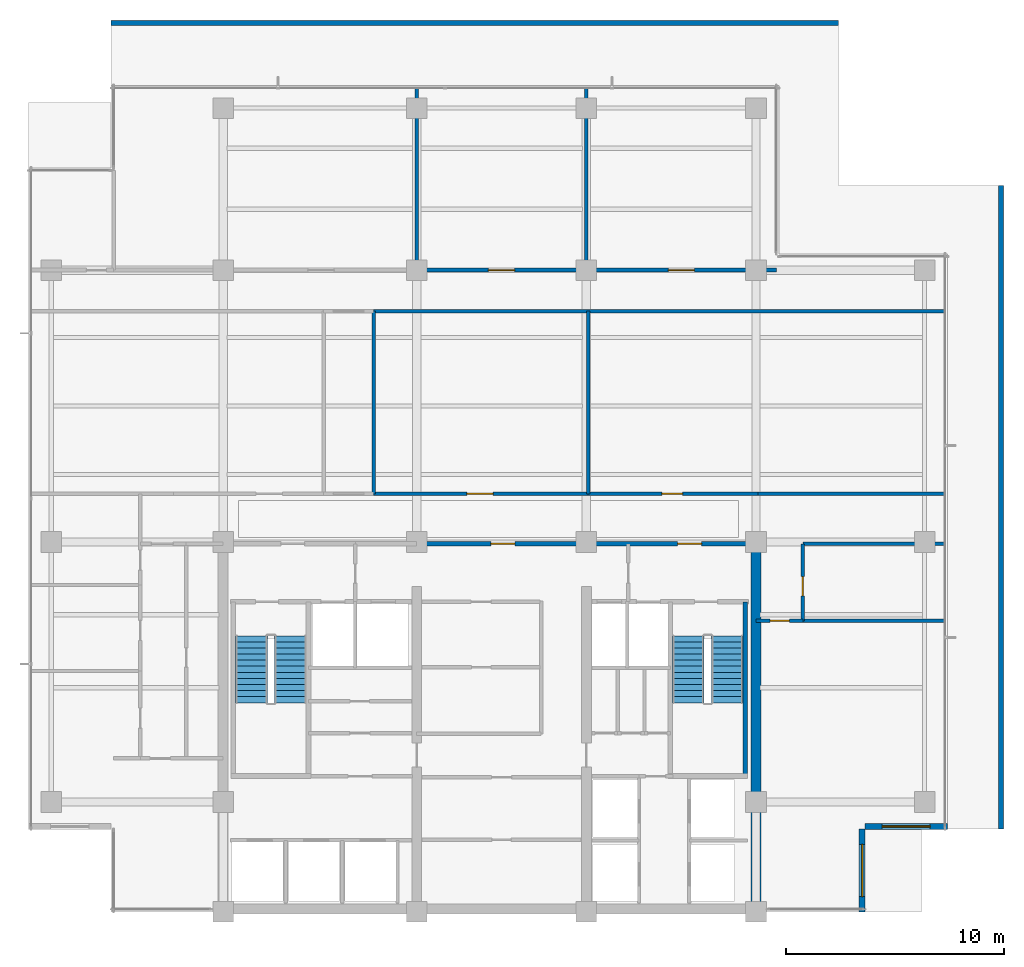
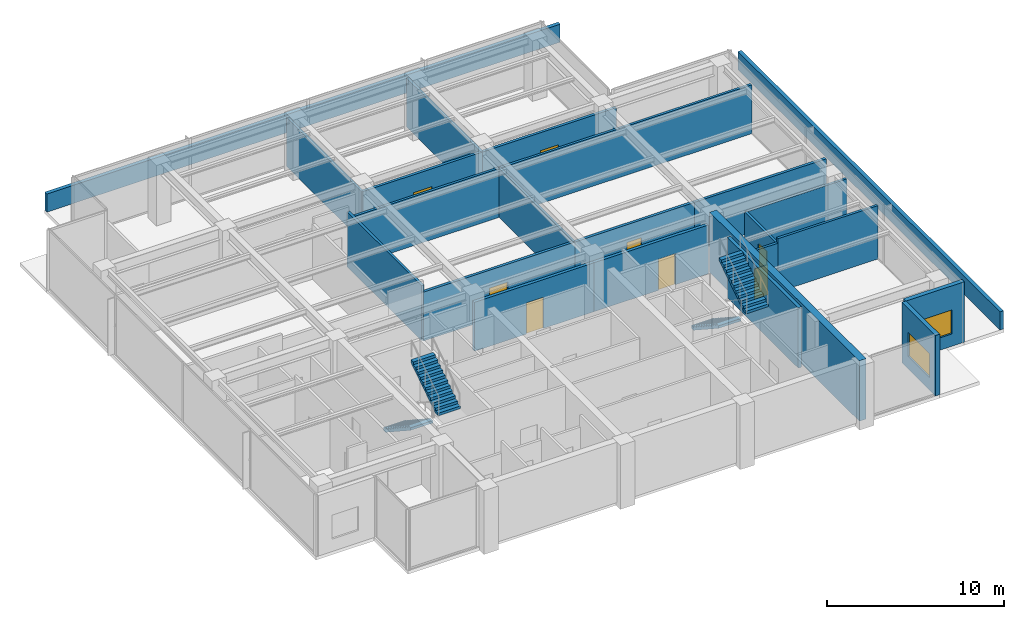
# One storey, part 9 of 14: 22 walls, 8 doors, 4 stair flights, 2 windows, 10 openings, 2 elements without a shape of their own.
"""IFC4 building model written with IfcOpenShell, lengths in metres."""

from ifc_helpers import new_model, si_unit, direction, frame, frame_2d, origin, place, context, subcontext, project, spatial, polyline, rectangle, outline, extrude, material, layer, layer_set, type_object, element, fill, aggregate, save


model = new_model("IFC4")

# Units and contexts
model_context = context("Model", 3, precision=1e-05, world=origin(), true_north=direction((0.0, 1.0)))
body_context = subcontext(model_context, "Body", "Model", "MODEL_VIEW")
ifc_project = project(units=[si_unit("LENGTHUNIT", "METRE"), si_unit("AREAUNIT", "SQUARE_METRE"), si_unit("VOLUMEUNIT", "CUBIC_METRE"), si_unit("PLANEANGLEUNIT", "RADIAN"), si_unit("MASSUNIT", "GRAM", prefix="KILO")], contexts=[model_context])

# Site, building, storey
site_placement = place(None, origin())
site = spatial("IfcSite", under=ifc_project, at=site_placement, CompositionType="ELEMENT")
building_placement = place(site_placement, origin())
building = spatial("IfcBuilding", under=site, at=building_placement, Name="Qalmaran Belvedere Hotel", CompositionType="ELEMENT")
storey_placement = place(building_placement, frame((0.0, 0.0, 192.5)))
storey = spatial("IfcBuildingStorey", under=building, at=storey_placement, Name="L48", CompositionType="ELEMENT", Elevation=192.5)

# Wall
ifc_material_1 = material(Name="Concrete C50/60", Category="concrete")
ifc_layer_1 = layer(ifc_material_1, 0.449951171875, Name="Concrete C50/60")
ifc_layer_set_1 = layer_set([ifc_layer_1], Name="Concrete C50/60")
wall_type_1 = type_object("IfcWallType", Name="WL-CORE-450-C50", PredefinedType="SHEAR", material=ifc_layer_set_1)
wall_1_placement = place(storey_placement, frame((44.800048828125, 3.5, 0.0), z_axis=(0.0, 0.0, 1.0), x_axis=(0.0, 1.0, 0.0)))
element("IfcWall", 1, at=wall_1_placement, inside=storey, type_object=wall_type_1, Name="L48 East Core Shear Wall", PredefinedType="SHEAR", context=body_context, shape_type="SweptSolid", body=[
    extrude(rectangle(XDim=16.89990234375, YDim=0.449951171875, at=frame_2d((8.449951171875, 0.0))), origin(), (0.0, 0.0, 1.0), 4.159912109375),
])

# Wall, opening, window
ifc_material_2 = material(Name="Anodised Bronze Cladding")
ifc_layer_2 = layer(ifc_material_2, 0.280029296875, Name="Anodised Bronze Cladding")
ifc_layer_set_2 = layer_set([ifc_layer_2], Name="Anodised Bronze Cladding")
wall_type_2 = type_object("IfcWallType", Name="WL-EXT-BRNZ-280", PredefinedType="SOLIDWALL", material=ifc_layer_set_2)
wall_2_placement = place(storey_placement, frame((49.679931640625, 3.5, 0.0), z_axis=(0.0, 0.0, 1.0), x_axis=(0.0, 1.0, 0.0)))
wall_2 = element("IfcWall", 2, at=wall_2_placement, inside=storey, type_object=wall_type_2, Name="L48 Corner Notch Wall 1", PredefinedType="SOLIDWALL", context=body_context, shape_type="SweptSolid", body=[
    extrude(rectangle(XDim=3.800048828125, YDim=0.280029296875, at=frame_2d((1.89990234375, 0.0))), origin(), (0.0, 0.0, 1.0), 4.159912109375),
])
opening_1_placement = place(wall_2_placement, frame((0.699951171875, 0.0, 0.85009765625)))
opening_1 = element("IfcOpeningElement", 3, at=opening_1_placement, cuts=wall_2, Name="Opening W-N24", PredefinedType="OPENING", context=body_context, shape_type="SweptSolid", body=[
    extrude(rectangle(XDim=2.39990234375, YDim=1.64990234375, at=frame_2d((1.199951171875, 0.824951171875))), frame((0.0, 0.14990234375, 0.0), z_axis=(0.0, -1.0, 0.0), x_axis=(1.0, 0.0, 0.0)), (0.0, 0.0, 1.0), 0.300048828125),
])
ifc_material_3 = material(Name="Solar-Control Double Glazing", Category="glass")
window_type_1 = type_object("IfcWindowType", Name="WN-NTC-2400X1650", PartitioningType="SINGLE_PANEL", PredefinedType="WINDOW", material=ifc_material_3)
window_1_placement = place(opening_1_placement, origin())
window_1 = element("IfcWindow", 4, at=window_1_placement, inside=storey, type_object=window_type_1, Name="L48 Corner Notch Window 1", OverallHeight=1.64990234375, OverallWidth=2.39990234375, PartitioningType="SINGLE_PANEL", PredefinedType="WINDOW", context=body_context, shape_type="SweptSolid", body=[
    extrude(rectangle(XDim=2.39990234375, YDim=1.64990234375, at=frame_2d((1.199951171875, 0.824951171875))), frame((0.0, 0.030029296875, 0.0), z_axis=(0.0, -1.0, 0.0), x_axis=(1.0, 0.0, 0.0)), (0.0, 0.0, 1.0), 0.06005859375),
])
fill(opening_1, window_1)

wall_3_placement = place(storey_placement, frame((49.800048828125, 7.419921875, 0.0), z_axis=(0.0, 0.0, 1.0), x_axis=(1.0, 0.0, 0.0)))
wall_3 = element("IfcWall", 5, at=wall_3_placement, inside=storey, type_object=wall_type_2, Name="L48 Corner Notch Wall 2", PredefinedType="SOLIDWALL", context=body_context, shape_type="SweptSolid", body=[
    extrude(rectangle(XDim=3.800048828125, YDim=0.280029296875, at=frame_2d((1.89990234375, 0.0))), origin(), (0.0, 0.0, 1.0), 4.159912109375),
])
opening_2_placement = place(wall_3_placement, frame((0.800048828125, 0.0, 0.85009765625)))
opening_2 = element("IfcOpeningElement", 6, at=opening_2_placement, cuts=wall_3, Name="Opening W-N22", PredefinedType="OPENING", context=body_context, shape_type="SweptSolid", body=[
    extrude(rectangle(XDim=2.199951171875, YDim=1.64990234375, at=frame_2d((1.10009765625, 0.824951171875))), frame((0.0, 0.14990234375, 0.0), z_axis=(0.0, -1.0, 0.0), x_axis=(1.0, 0.0, 0.0)), (0.0, 0.0, 1.0), 0.300048828125),
])
window_type_2 = type_object("IfcWindowType", Name="WN-NTC-2200X1650", PartitioningType="SINGLE_PANEL", PredefinedType="WINDOW", material=ifc_material_3)
window_2_placement = place(opening_2_placement, origin())
window_2 = element("IfcWindow", 7, at=window_2_placement, inside=storey, type_object=window_type_2, Name="L48 Corner Notch Window 2", OverallHeight=1.64990234375, OverallWidth=2.199951171875, PartitioningType="SINGLE_PANEL", PredefinedType="WINDOW", context=body_context, shape_type="SweptSolid", body=[
    extrude(rectangle(XDim=2.199951171875, YDim=1.64990234375, at=frame_2d((1.10009765625, 0.824951171875))), frame((0.0, 0.030029296875, 0.0), z_axis=(0.0, -1.0, 0.0), x_axis=(1.0, 0.0, 0.0)), (0.0, 0.0, 1.0), 0.06005859375),
])
fill(opening_2, window_2)

# Wall, opening, door
ifc_material_4 = material(Name="Gypsum Stud Partition")
ifc_layer_3 = layer(ifc_material_4, 0.159912109375, Name="Gypsum Stud Partition")
ifc_layer_set_3 = layer_set([ifc_layer_3], Name="Gypsum Stud Partition")
wall_type_3 = type_object("IfcWallType", Name="WL-INT-160-EI60", PredefinedType="PARTITIONING", material=ifc_layer_set_3)
wall_4_placement = place(storey_placement, frame((44.800048828125, 16.8798828125, 0.0), z_axis=(0.0, 0.0, 1.0), x_axis=(1.0, 0.0, 0.0)))
wall_4 = element("IfcWall", 8, at=wall_4_placement, inside=storey, type_object=wall_type_3, Name="L48 Partition WL-L48-ECE", PredefinedType="PARTITIONING", context=body_context, shape_type="SweptSolid", body=[
    extrude(rectangle(XDim=2.14990234375, YDim=0.159912109375, at=frame_2d((1.074951171875, 0.0))), origin(), (0.0, 0.0, 1.0), 3.3720703125),
])
opening_3_placement = place(wall_4_placement, frame((1.52978515625, 0.0, 0.0), z_axis=(0.0, 0.0, 1.0), x_axis=(-1.0, 0.0, 0.0)))
opening_3 = element("IfcOpeningElement", 9, at=opening_3_placement, cuts=wall_4, Name="Opening FD60B", PredefinedType="OPENING", context=body_context, shape_type="SweptSolid", body=[
    extrude(rectangle(XDim=0.8798828125, YDim=2.080078125, at=frame_2d((0.43994140625, 1.0400390625))), frame((0.0, 0.08984375, 0.0), z_axis=(0.0, -1.0, 0.0), x_axis=(1.0, 0.0, 0.0)), (0.0, 0.0, 1.0), 0.179931640625),
])
ifc_material_5 = material(Name="Steel S355JR", Category="steel")
door_type_1 = type_object("IfcDoorType", Name="DR-FD60B-880X2080", OperationType="NOTDEFINED", PredefinedType="DOOR", material=ifc_material_5)
door_1_placement = place(opening_3_placement, origin())
door_1 = element("IfcDoor", 10, at=door_1_placement, inside=storey, type_object=door_type_1, Name="L48 Panoramic Tea Lounge Door", OperationType="SINGLE_SWING_RIGHT", OverallHeight=2.080078125, OverallWidth=0.8798828125, PredefinedType="DOOR", context=body_context, shape_type="SweptSolid", body=[
    extrude(rectangle(XDim=0.8798828125, YDim=2.080078125, at=frame_2d((0.43994140625, 1.0400390625))), frame((0.0, 0.02490234375, 0.0), z_axis=(0.0, -1.0, 0.0), x_axis=(1.0, 0.0, 0.0)), (0.0, 0.0, 1.0), 0.050048828125),
])
fill(opening_3, door_1)

wall_5_placement = place(storey_placement, frame((46.949951171875, 16.8798828125, 0.0), z_axis=(0.0, 0.0, 1.0), x_axis=(0.0, 1.0, 0.0)))
wall_5 = element("IfcWall", 11, at=wall_5_placement, inside=storey, type_object=wall_type_3, Name="L48 Partition WL-L48-ECEV", PredefinedType="PARTITIONING", context=body_context, shape_type="SweptSolid", body=[
    extrude(rectangle(XDim=3.5400390625, YDim=0.159912109375, at=frame_2d((1.77001953125, 0.0))), origin(), (0.0, 0.0, 1.0), 3.3720703125),
])
opening_4_placement = place(wall_5_placement, frame((2.02978515625, 0.0, 0.0), z_axis=(0.0, 0.0, 1.0), x_axis=(-1.0, 0.0, 0.0)))
opening_4 = element("IfcOpeningElement", 12, at=opening_4_placement, cuts=wall_5, Name="Opening FD60B", PredefinedType="OPENING", context=body_context, shape_type="SweptSolid", body=[
    extrude(rectangle(XDim=0.8798828125, YDim=2.080078125, at=frame_2d((0.43994140625, 1.0400390625))), frame((0.0, 0.08984375, 0.0), z_axis=(0.0, -1.0, 0.0), x_axis=(1.0, 0.0, 0.0)), (0.0, 0.0, 1.0), 0.179931640625),
])
door_2_placement = place(opening_4_placement, origin())
door_2 = element("IfcDoor", 13, at=door_2_placement, inside=storey, type_object=door_type_1, Name="L48 East Sky Study Door", OperationType="SINGLE_SWING_LEFT", OverallHeight=2.080078125, OverallWidth=0.8798828125, PredefinedType="DOOR", context=body_context, shape_type="SweptSolid", body=[
    extrude(rectangle(XDim=0.8798828125, YDim=2.080078125, at=frame_2d((0.43994140625, 1.0400390625))), frame((0.0, 0.02490234375, 0.0), z_axis=(0.0, -1.0, 0.0), x_axis=(1.0, 0.0, 0.0)), (0.0, 0.0, 1.0), 0.050048828125),
])
fill(opening_4, door_2)

# Walls
wall_6_placement = place(storey_placement, frame((46.949951171875, 16.8798828125, 0.0), z_axis=(0.0, 0.0, 1.0), x_axis=(1.0, 0.0, 0.0)))
element("IfcWall", 14, at=wall_6_placement, inside=storey, type_object=wall_type_3, Name="L48 Partition WL-L48-ECEH", PredefinedType="PARTITIONING", context=body_context, shape_type="SweptSolid", body=[
    extrude(rectangle(XDim=6.530029296875, YDim=0.159912109375, at=frame_2d((3.26513671875, 0.0))), origin(), (0.0, 0.0, 1.0), 3.681884765625),
])
wall_7_placement = place(storey_placement, frame((46.949951171875, 20.419921875, 0.0), z_axis=(0.0, 0.0, 1.0), x_axis=(1.0, 0.0, 0.0)))
element("IfcWall", 15, at=wall_7_placement, inside=storey, type_object=wall_type_3, Name="L48 Partition WL-L48-ECET", PredefinedType="PARTITIONING", context=body_context, shape_type="SweptSolid", body=[
    extrude(rectangle(XDim=6.530029296875, YDim=0.159912109375, at=frame_2d((3.26513671875, 0.0))), origin(), (0.0, 0.0, 1.0), 3.3720703125),
])
wall_8_placement = place(storey_placement, frame((27.219970703125, 22.719970703125, 0.0), z_axis=(0.0, 0.0, 1.0), x_axis=(0.0, 1.0, 0.0)))
element("IfcWall", 16, at=wall_8_placement, inside=storey, type_object=wall_type_3, Name="L48 Partition WL-L48-NPE", PredefinedType="PARTITIONING", context=body_context, shape_type="SweptSolid", body=[
    extrude(rectangle(XDim=8.400146484375, YDim=0.159912109375, at=frame_2d((4.2001953125, 0.0))), origin(), (0.0, 0.0, 1.0), 3.787109375),
])
wall_9_placement = place(storey_placement, frame((27.219970703125, 31.1201171875, 0.0), z_axis=(0.0, 0.0, 1.0), x_axis=(1.0, 0.0, 0.0)))
element("IfcWall", 17, at=wall_9_placement, inside=storey, type_object=wall_type_3, Name="L48 Partition WL-L48-NGS2", PredefinedType="PARTITIONING", context=body_context, shape_type="SweptSolid", body=[
    extrude(rectangle(XDim=26.260009765625, YDim=0.159912109375, at=frame_2d((13.1298828125, 0.0))), origin(), (0.0, 0.0, 1.0), 3.3720703125),
])
wall_10_placement = place(storey_placement, frame((37.080078125, 22.719970703125, 0.0), z_axis=(0.0, 0.0, 1.0), x_axis=(0.0, 1.0, 0.0)))
element("IfcWall", 18, at=wall_10_placement, inside=storey, type_object=wall_type_3, Name="L48 Partition WL-L48-MCV", PredefinedType="PARTITIONING", context=body_context, shape_type="SweptSolid", body=[
    extrude(rectangle(XDim=8.400146484375, YDim=0.159912109375, at=frame_2d((4.2001953125, 0.0))), origin(), (0.0, 0.0, 1.0), 3.3720703125),
])
for number, where, z_axis, x_axis, name in (
    (19, (29.199951171875, 33.0, 0.0), (0.0, 0.0, 1.0), (0.0, 1.0, 0.0), "L48 Partition WL-L48-NFV1"),
    (20, (37.0, 33.0, 0.0), (0.0, 0.0, 1.0), (0.0, 1.0, 0.0), "L48 Partition WL-L48-NFV2"),
):
    element("IfcWall", number, at=place(storey_placement, frame(where, z_axis=z_axis, x_axis=x_axis)), inside=storey, type_object=wall_type_3, Name=name, PredefinedType="PARTITIONING", context=body_context, shape_type="SweptSolid", body=[
        extrude(rectangle(XDim=8.3798828125, YDim=0.159912109375, at=frame_2d((4.18994140625, 0.0))), origin(), (0.0, 0.0, 1.0), 3.3720703125),
    ])

# Wall, opening, door
ifc_layer_4 = layer(ifc_material_4, 0.179931640625, Name="Gypsum Stud Partition")
ifc_layer_set_4 = layer_set([ifc_layer_4], Name="Gypsum Stud Partition")
wall_type_4 = type_object("IfcWallType", Name="WL-INT-180-EI60", PredefinedType="PARTITIONING", material=ifc_layer_set_4)
wall_11_placement = place(storey_placement, frame((27.219970703125, 22.719970703125, 0.0), z_axis=(0.0, 0.0, 1.0), x_axis=(1.0, 0.0, 0.0)))
wall_11 = element("IfcWall", 21, at=wall_11_placement, inside=storey, type_object=wall_type_4, Name="L48 Partition WL-L48-MCS2A", PredefinedType="PARTITIONING", context=body_context, shape_type="SweptSolid", body=[
    extrude(rectangle(XDim=9.860107421875, YDim=0.179931640625, at=frame_2d((4.93017578125, 0.0))), origin(), (0.0, 0.0, 1.0), 3.3720703125),
])
opening_5_placement = place(wall_11_placement, frame((4.2900390625, 0.0, 0.0)))
opening_5 = element("IfcOpeningElement", 22, at=opening_5_placement, cuts=wall_11, Name="Opening FD60P", PredefinedType="OPENING", context=body_context, shape_type="SweptSolid", body=[
    extrude(rectangle(XDim=1.199951171875, YDim=2.139892578125, at=frame_2d((0.60009765625, 1.06982421875))), frame((0.0, 0.10009765625, 0.0), z_axis=(0.0, -1.0, 0.0), x_axis=(1.0, 0.0, 0.0)), (0.0, 0.0, 1.0), 0.199951171875),
])
ifc_material_6 = material(Name="Engineered Oak Veneer")
door_type_2 = type_object("IfcDoorType", Name="DR-FD60P-1200X2140", OperationType="NOTDEFINED", PredefinedType="DOOR", material=ifc_material_6)
door_3_placement = place(opening_5_placement, origin())
door_3 = element("IfcDoor", 23, at=door_3_placement, inside=storey, type_object=door_type_2, Name="L48 Diplomatic Conference Hall Door", OperationType="DOUBLE_DOOR_SINGLE_SWING", OverallHeight=2.139892578125, OverallWidth=1.199951171875, PredefinedType="DOOR", context=body_context, shape_type="SweptSolid", body=[
    extrude(rectangle(XDim=1.199951171875, YDim=2.139892578125, at=frame_2d((0.60009765625, 1.06982421875))), frame((0.0, 0.02490234375, 0.0), z_axis=(0.0, -1.0, 0.0), x_axis=(1.0, 0.0, 0.0)), (0.0, 0.0, 1.0), 0.050048828125),
])
fill(opening_5, door_3)

wall_12_placement = place(storey_placement, frame((37.080078125, 22.719970703125, 0.0), z_axis=(0.0, 0.0, 1.0), x_axis=(1.0, 0.0, 0.0)))
wall_12 = element("IfcWall", 24, at=wall_12_placement, inside=storey, type_object=wall_type_4, Name="L48 Partition WL-L48-MCS2B", PredefinedType="PARTITIONING", context=body_context, shape_type="SweptSolid", body=[
    extrude(rectangle(XDim=7.7998046875, YDim=0.179931640625, at=frame_2d((3.89990234375, 0.0))), origin(), (0.0, 0.0, 1.0), 3.3720703125),
])
opening_6_placement = place(wall_12_placement, frame((3.389892578125, 0.0, 0.0)))
opening_6 = element("IfcOpeningElement", 25, at=opening_6_placement, cuts=wall_12, Name="Opening FD60", PredefinedType="OPENING", context=body_context, shape_type="SweptSolid", body=[
    extrude(rectangle(XDim=0.949951171875, YDim=2.14990234375, at=frame_2d((0.47509765625, 1.074951171875))), frame((0.0, 0.10009765625, 0.0), z_axis=(0.0, -1.0, 0.0), x_axis=(1.0, 0.0, 0.0)), (0.0, 0.0, 1.0), 0.199951171875),
])
door_type_3 = type_object("IfcDoorType", Name="DR-FD60-950X2150", OperationType="NOTDEFINED", PredefinedType="DOOR", material=ifc_material_6)
door_4_placement = place(opening_6_placement, origin())
door_4 = element("IfcDoor", 26, at=door_4_placement, inside=storey, type_object=door_type_3, Name="L48 East Lounge Door", OperationType="SINGLE_SWING_LEFT", OverallHeight=2.14990234375, OverallWidth=0.949951171875, PredefinedType="DOOR", context=body_context, shape_type="SweptSolid", body=[
    extrude(rectangle(XDim=0.949951171875, YDim=2.14990234375, at=frame_2d((0.47509765625, 1.074951171875))), frame((0.0, 0.02490234375, 0.0), z_axis=(0.0, -1.0, 0.0), x_axis=(1.0, 0.0, 0.0)), (0.0, 0.0, 1.0), 0.050048828125),
])
fill(opening_6, door_4)

# Wall
wall_13_placement = place(storey_placement, frame((44.8798828125, 22.719970703125, 0.0), z_axis=(0.0, 0.0, 1.0), x_axis=(1.0, 0.0, 0.0)))
element("IfcWall", 27, at=wall_13_placement, inside=storey, type_object=wall_type_4, Name="L48 Partition WL-L48-MCS2C", PredefinedType="PARTITIONING", context=body_context, shape_type="SweptSolid", body=[
    extrude(rectangle(XDim=8.60009765625, YDim=0.179931640625, at=frame_2d((4.300048828125, 0.0))), origin(), (0.0, 0.0, 1.0), 3.3720703125),
])

# Wall, opening, door
wall_14_placement = place(storey_placement, frame((29.199951171875, 33.0, 0.0), z_axis=(0.0, 0.0, 1.0), x_axis=(1.0, 0.0, 0.0)))
wall_14 = element("IfcWall", 28, at=wall_14_placement, inside=storey, type_object=wall_type_4, Name="L48 Partition WL-L48-NF33D2", PredefinedType="PARTITIONING", context=body_context, shape_type="SweptSolid", body=[
    extrude(rectangle(XDim=7.800048828125, YDim=0.179931640625, at=frame_2d((3.89990234375, 0.0))), origin(), (0.0, 0.0, 1.0), 3.3720703125),
])
opening_7_placement = place(wall_14_placement, frame((3.300048828125, 0.0, 0.0)))
opening_7 = element("IfcOpeningElement", 29, at=opening_7_placement, cuts=wall_14, Name="Opening FD60P", PredefinedType="OPENING", context=body_context, shape_type="SweptSolid", body=[
    extrude(rectangle(XDim=1.199951171875, YDim=2.139892578125, at=frame_2d((0.60009765625, 1.06982421875))), frame((0.0, 0.10009765625, 0.0), z_axis=(0.0, -1.0, 0.0), x_axis=(1.0, 0.0, 0.0)), (0.0, 0.0, 1.0), 0.199951171875),
])
door_5_placement = place(opening_7_placement, origin())
door_5 = element("IfcDoor", 30, at=door_5_placement, inside=storey, type_object=door_type_2, Name="L48 Panoramic Tea Gallery Door", OperationType="DOUBLE_DOOR_SINGLE_SWING", OverallHeight=2.139892578125, OverallWidth=1.199951171875, PredefinedType="DOOR", context=body_context, shape_type="SweptSolid", body=[
    extrude(rectangle(XDim=1.199951171875, YDim=2.139892578125, at=frame_2d((0.60009765625, 1.06982421875))), frame((0.0, 0.02490234375, 0.0), z_axis=(0.0, -1.0, 0.0), x_axis=(1.0, 0.0, 0.0)), (0.0, 0.0, 1.0), 0.050048828125),
])
fill(opening_7, door_5)

wall_15_placement = place(storey_placement, frame((37.0, 33.0, 0.0), z_axis=(0.0, 0.0, 1.0), x_axis=(1.0, 0.0, 0.0)))
wall_15 = element("IfcWall", 31, at=wall_15_placement, inside=storey, type_object=wall_type_4, Name="L48 Partition WL-L48-NF33D3", PredefinedType="PARTITIONING", context=body_context, shape_type="SweptSolid", body=[
    extrude(rectangle(XDim=8.72998046875, YDim=0.179931640625, at=frame_2d((4.364990234375, 0.0))), origin(), (0.0, 0.0, 1.0), 3.3720703125),
])
opening_8_placement = place(wall_15_placement, frame((3.764892578125, 0.0, 0.0)))
opening_8 = element("IfcOpeningElement", 32, at=opening_8_placement, cuts=wall_15, Name="Opening FD60P", PredefinedType="OPENING", context=body_context, shape_type="SweptSolid", body=[
    extrude(rectangle(XDim=1.199951171875, YDim=2.139892578125, at=frame_2d((0.60009765625, 1.06982421875))), frame((0.0, 0.10009765625, 0.0), z_axis=(0.0, -1.0, 0.0), x_axis=(1.0, 0.0, 0.0)), (0.0, 0.0, 1.0), 0.199951171875),
])
door_6_placement = place(opening_8_placement, origin())
door_6 = element("IfcDoor", 33, at=door_6_placement, inside=storey, type_object=door_type_2, Name="L48 Upper Sky Lounge East Door", OperationType="DOUBLE_DOOR_SINGLE_SWING", OverallHeight=2.139892578125, OverallWidth=1.199951171875, PredefinedType="DOOR", context=body_context, shape_type="SweptSolid", body=[
    extrude(rectangle(XDim=1.199951171875, YDim=2.139892578125, at=frame_2d((0.60009765625, 1.06982421875))), frame((0.0, 0.02490234375, 0.0), z_axis=(0.0, -1.0, 0.0), x_axis=(1.0, 0.0, 0.0)), (0.0, 0.0, 1.0), 0.050048828125),
])
fill(opening_8, door_6)

ifc_material_7 = material(Name="Concrete C30/37 Blockwork", Category="masonry")
ifc_layer_5 = layer(ifc_material_7, 0.199951171875, Name="Concrete C30/37 Blockwork")
ifc_layer_set_5 = layer_set([ifc_layer_5], Name="Concrete C30/37 Blockwork")
wall_type_5 = type_object("IfcWallType", Name="WL-INT-200-EI120", PredefinedType="PARTITIONING", material=ifc_layer_set_5)
wall_16_placement = place(storey_placement, frame((29.199951171875, 20.419921875, 0.0), z_axis=(0.0, 0.0, 1.0), x_axis=(1.0, 0.0, 0.0)))
wall_16 = element("IfcWall", 34, at=wall_16_placement, inside=storey, type_object=wall_type_5, Name="L48 Partition WL-CN2-L48", PredefinedType="PARTITIONING", context=body_context, shape_type="SweptSolid", body=[
    extrude(rectangle(XDim=7.800048828125, YDim=0.199951171875, at=frame_2d((3.89990234375, 0.0))), origin(), (0.0, 0.0, 1.0), 3.3720703125),
])
opening_9_placement = place(wall_16_placement, frame((3.4091796875, 0.0, 0.0)))
opening_9 = element("IfcOpeningElement", 35, at=opening_9_placement, cuts=wall_16, Name="Opening FD90", PredefinedType="OPENING", context=body_context, shape_type="SweptSolid", body=[
    extrude(rectangle(XDim=1.10009765625, YDim=2.14990234375, at=frame_2d((0.550048828125, 1.074951171875))), frame((0.0, 0.10986328125, 0.0), z_axis=(0.0, -1.0, 0.0), x_axis=(1.0, 0.0, 0.0)), (0.0, 0.0, 1.0), 0.219970703125),
])
door_type_4 = type_object("IfcDoorType", Name="DR-FD90-1100X2150", OperationType="NOTDEFINED", PredefinedType="DOOR", material=ifc_material_5)
door_7_placement = place(opening_9_placement, origin())
door_7 = element("IfcDoor", 36, at=door_7_placement, inside=storey, type_object=door_type_4, Name="L48 Central Lift Lobby Door", OperationType="SINGLE_SWING_LEFT", OverallHeight=2.14990234375, OverallWidth=1.10009765625, PredefinedType="DOOR", context=body_context, shape_type="SweptSolid", body=[
    extrude(rectangle(XDim=1.10009765625, YDim=2.14990234375, at=frame_2d((0.550048828125, 1.074951171875))), frame((0.0, 0.02490234375, 0.0), z_axis=(0.0, -1.0, 0.0), x_axis=(1.0, 0.0, 0.0)), (0.0, 0.0, 1.0), 0.050048828125),
])
fill(opening_9, door_7)

wall_17_placement = place(storey_placement, frame((37.0, 20.419921875, 0.0), z_axis=(0.0, 0.0, 1.0), x_axis=(1.0, 0.0, 0.0)))
wall_17 = element("IfcWall", 37, at=wall_17_placement, inside=storey, type_object=wall_type_5, Name="L48 Partition WL-CN3-L48", PredefinedType="PARTITIONING", context=body_context, shape_type="SweptSolid", body=[
    extrude(rectangle(XDim=7.449951171875, YDim=0.199951171875, at=frame_2d((3.72509765625, 0.0))), origin(), (0.0, 0.0, 1.0), 3.3720703125),
])
opening_10_placement = place(wall_17_placement, frame((4.199951171875, 0.0, 0.0)))
opening_10 = element("IfcOpeningElement", 38, at=opening_10_placement, cuts=wall_17, Name="Opening FD90", PredefinedType="OPENING", context=body_context, shape_type="SweptSolid", body=[
    extrude(rectangle(XDim=1.10009765625, YDim=2.14990234375, at=frame_2d((0.550048828125, 1.074951171875))), frame((0.0, 0.10986328125, 0.0), z_axis=(0.0, -1.0, 0.0), x_axis=(1.0, 0.0, 0.0)), (0.0, 0.0, 1.0), 0.219970703125),
])
door_8_placement = place(opening_10_placement, origin())
door_8 = element("IfcDoor", 39, at=door_8_placement, inside=storey, type_object=door_type_4, Name="L48 FF2 Lobby Corridor Door", OperationType="SINGLE_SWING_RIGHT", OverallHeight=2.14990234375, OverallWidth=1.10009765625, PredefinedType="DOOR", context=body_context, shape_type="SweptSolid", body=[
    extrude(rectangle(XDim=1.10009765625, YDim=2.14990234375, at=frame_2d((0.550048828125, 1.074951171875))), frame((0.0, 0.02490234375, 0.0), z_axis=(0.0, -1.0, 0.0), x_axis=(1.0, 0.0, 0.0)), (0.0, 0.0, 1.0), 0.050048828125),
])
fill(opening_10, door_8)

# Walls
ifc_material_8 = material(Name="Concrete C40/50", Category="concrete")
ifc_layer_6 = layer(ifc_material_8, 0.239990234375, Name="Concrete C40/50")
ifc_layer_set_6 = layer_set([ifc_layer_6], Name="Concrete C40/50")
wall_type_6 = type_object("IfcWallType", Name="WL-PARAPET-240", PredefinedType="PARAPET", material=ifc_layer_set_6)
wall_18_placement = place(storey_placement, frame((56.06005859375, 7.300048828125, 0.0), z_axis=(0.0, 0.0, 1.0), x_axis=(0.0, 1.0, 0.0)))
element("IfcWall", 40, at=wall_18_placement, inside=storey, type_object=wall_type_6, Name="L48 Roof Parapet 4", PredefinedType="PARAPET", context=body_context, shape_type="SweptSolid", body=[
    extrude(rectangle(XDim=29.599853515625, YDim=0.239990234375, at=frame_2d((14.7998046875, 0.0))), origin(), (0.0, 0.0, 1.0), 1.25),
])
wall_19_placement = place(storey_placement, frame((48.60009765625, 44.360107421875, 0.0), z_axis=(0.0, 0.0, 1.0), x_axis=(-1.0, 0.0, 0.0)))
element("IfcWall", 41, at=wall_19_placement, inside=storey, type_object=wall_type_6, Name="L48 Roof Parapet 7", PredefinedType="PARAPET", context=body_context, shape_type="SweptSolid", body=[
    extrude(rectangle(XDim=33.4501953125, YDim=0.239990234375, at=frame_2d((16.72509765625, 0.0))), origin(), (0.0, 0.0, 1.0), 1.25),
])
ifc_layer_7 = layer(ifc_material_1, 0.2099609375, Name="Concrete C50/60")
ifc_layer_set_7 = layer_set([ifc_layer_7], Name="Concrete C50/60")
wall_type_7 = type_object("IfcWallType", Name="WL-STAIR-210-C50", PredefinedType="SHEAR", material=ifc_layer_set_7)
wall_20_placement = place(storey_placement, frame((44.304931640625, 9.7451171875, 0.0), z_axis=(0.0, 0.0, 1.0), x_axis=(0.0, 1.0, 0.0)))
element("IfcWall", 42, at=wall_20_placement, inside=storey, type_object=wall_type_7, Name="L48 Stair ST-2 East Bearing Wall", PredefinedType="SHEAR", context=body_context, shape_type="SweptSolid", body=[
    extrude(rectangle(XDim=8.009765625, YDim=0.2099609375, at=frame_2d((4.0048828125, 0.0))), origin(), (0.0, 0.0, 1.0), 4.159912109375),
])

# Stair, stair flights
stair_type_1 = type_object("IfcStairType", Name="STR-ST-1-1450-R1833", PredefinedType="HALF_TURN_STAIR", material=ifc_material_8)
stair_1_placement = place(storey_placement, origin())
stair_1 = element("IfcStair", 43, at=stair_1_placement, inside=storey, type_object=stair_type_1, Name="L48 West Core Exit Stair ST-1", PredefinedType="HALF_TURN_STAIR")
ifc_layer_8 = layer(ifc_material_8, 0.14990234375, Name="Concrete C40/50")
ifc_layer_set_8 = layer_set([ifc_layer_8], Name="Concrete C40/50")
stair_flight_type_1 = type_object("IfcStairFlightType", Name="STF-ST-1-1450-R1833", PredefinedType="STRAIGHT", material=ifc_layer_set_8)
stair_flight_1_placement = place(storey_placement, frame((21.60498046875, 16.18994140625, 0.0), z_axis=(0.0, 0.0, 1.0), x_axis=(0.0, -1.0, 0.0)))
stair_flight_1 = element("IfcStairFlight", 44, at=stair_flight_1_placement, type_object=stair_flight_type_1, Name="ST-1 flight 1", NumberOfRisers=12, NumberOfTreads=11, PredefinedType="STRAIGHT", RiserHeight=0.183333333, TreadLength=0.28, context=body_context, shape_type="SweptSolid", body=[
    extrude(outline(polyline([(0.0, 0.0), (0.0, 0.183349609375), (0.280029296875, 0.183349609375), (0.280029296875, 0.36669921875), (0.56005859375, 0.36669921875), (0.56005859375, 0.550048828125), (0.840087890625, 0.550048828125), (0.840087890625, 0.7333984375), (1.1201171875, 0.7333984375), (1.1201171875, 0.916748046875), (1.39990234375, 0.916748046875), (1.39990234375, 1.10009765625), (1.679931640625, 1.10009765625), (1.679931640625, 1.283447265625), (1.9599609375, 1.283447265625), (1.9599609375, 1.466552734375), (2.239990234375, 1.466552734375), (2.239990234375, 1.64990234375), (2.52001953125, 1.64990234375), (2.52001953125, 1.833251953125), (2.800048828125, 1.833251953125), (2.800048828125, 2.0166015625), (3.080078125, 2.0166015625), (3.080078125, 2.199951171875), (3.080078125, 1.83740234375), (0.273681640625, 0.0), (0.0, 0.0)])), frame((0.0, 0.72509765625, 0.0), z_axis=(0.0, -1.0, 0.0), x_axis=(1.0, 0.0, 0.0)), (0.0, 0.0, 1.0), 1.449951171875),
])
stair_flight_2_placement = place(storey_placement, frame((23.39501953125, 13.110107421875, 2.199951171875), z_axis=(0.0, 0.0, 1.0), x_axis=(0.0, 1.0, 0.0)))
stair_flight_2 = element("IfcStairFlight", 45, at=stair_flight_2_placement, type_object=stair_flight_type_1, Name="ST-1 flight 2", NumberOfRisers=12, NumberOfTreads=11, PredefinedType="STRAIGHT", RiserHeight=0.183333333, TreadLength=0.28, context=body_context, shape_type="SweptSolid", body=[
    extrude(outline(polyline([(0.0, 0.0), (0.0, 0.183349609375), (0.280029296875, 0.183349609375), (0.280029296875, 0.36669921875), (0.56005859375, 0.36669921875), (0.56005859375, 0.550048828125), (0.840087890625, 0.550048828125), (0.840087890625, 0.7333984375), (1.1201171875, 0.7333984375), (1.1201171875, 0.916748046875), (1.39990234375, 0.916748046875), (1.39990234375, 1.10009765625), (1.679931640625, 1.10009765625), (1.679931640625, 1.283447265625), (1.9599609375, 1.283447265625), (1.9599609375, 1.466552734375), (2.239990234375, 1.466552734375), (2.239990234375, 1.64990234375), (2.52001953125, 1.64990234375), (2.52001953125, 1.833251953125), (2.800048828125, 1.833251953125), (2.800048828125, 2.0166015625), (3.080078125, 2.0166015625), (3.080078125, 2.199951171875), (3.080078125, 1.83740234375), (0.273681640625, 0.0), (0.0, 0.0)])), frame((0.0, 0.72509765625, 0.0), z_axis=(0.0, -1.0, 0.0), x_axis=(1.0, 0.0, 0.0)), (0.0, 0.0, 1.0), 1.449951171875),
])
aggregate(stair_1, [stair_flight_1, stair_flight_2])

stair_type_2 = type_object("IfcStairType", Name="STR-ST-2-1450-R1833", PredefinedType="HALF_TURN_STAIR", material=ifc_material_8)
stair_2_placement = place(storey_placement, origin())
stair_2 = element("IfcStair", 46, at=stair_2_placement, inside=storey, type_object=stair_type_2, Name="L48 East Core Exit Stair ST-2", PredefinedType="HALF_TURN_STAIR")
ifc_layer_9 = layer(ifc_material_8, 0.14990234375, Name="Concrete C40/50")
ifc_layer_set_9 = layer_set([ifc_layer_9], Name="Concrete C40/50")
stair_flight_type_2 = type_object("IfcStairFlightType", Name="STF-ST-2-1450-R1833", PredefinedType="STRAIGHT", material=ifc_layer_set_9)
stair_flight_3_placement = place(storey_placement, frame((41.68505859375, 16.18994140625, 0.0), z_axis=(0.0, 0.0, 1.0), x_axis=(0.0, -1.0, 0.0)))
stair_flight_3 = element("IfcStairFlight", 47, at=stair_flight_3_placement, type_object=stair_flight_type_2, Name="ST-2 flight 1", NumberOfRisers=12, NumberOfTreads=11, PredefinedType="STRAIGHT", RiserHeight=0.183333333, TreadLength=0.28, context=body_context, shape_type="SweptSolid", body=[
    extrude(outline(polyline([(0.0, 0.0), (0.0, 0.183349609375), (0.280029296875, 0.183349609375), (0.280029296875, 0.36669921875), (0.56005859375, 0.36669921875), (0.56005859375, 0.550048828125), (0.840087890625, 0.550048828125), (0.840087890625, 0.7333984375), (1.1201171875, 0.7333984375), (1.1201171875, 0.916748046875), (1.39990234375, 0.916748046875), (1.39990234375, 1.10009765625), (1.679931640625, 1.10009765625), (1.679931640625, 1.283447265625), (1.9599609375, 1.283447265625), (1.9599609375, 1.466552734375), (2.239990234375, 1.466552734375), (2.239990234375, 1.64990234375), (2.52001953125, 1.64990234375), (2.52001953125, 1.833251953125), (2.800048828125, 1.833251953125), (2.800048828125, 2.0166015625), (3.080078125, 2.0166015625), (3.080078125, 2.199951171875), (3.080078125, 1.83740234375), (0.273681640625, 0.0), (0.0, 0.0)])), frame((0.0, 0.72509765625, 0.0), z_axis=(0.0, -1.0, 0.0), x_axis=(1.0, 0.0, 0.0)), (0.0, 0.0, 1.0), 1.449951171875),
])
stair_flight_4_placement = place(storey_placement, frame((43.47509765625, 13.110107421875, 2.199951171875), z_axis=(0.0, 0.0, 1.0), x_axis=(0.0, 1.0, 0.0)))
stair_flight_4 = element("IfcStairFlight", 48, at=stair_flight_4_placement, type_object=stair_flight_type_2, Name="ST-2 flight 2", NumberOfRisers=12, NumberOfTreads=11, PredefinedType="STRAIGHT", RiserHeight=0.183333333, TreadLength=0.28, context=body_context, shape_type="SweptSolid", body=[
    extrude(outline(polyline([(0.0, 0.0), (0.0, 0.183349609375), (0.280029296875, 0.183349609375), (0.280029296875, 0.36669921875), (0.56005859375, 0.36669921875), (0.56005859375, 0.550048828125), (0.840087890625, 0.550048828125), (0.840087890625, 0.7333984375), (1.1201171875, 0.7333984375), (1.1201171875, 0.916748046875), (1.39990234375, 0.916748046875), (1.39990234375, 1.10009765625), (1.679931640625, 1.10009765625), (1.679931640625, 1.283447265625), (1.9599609375, 1.283447265625), (1.9599609375, 1.466552734375), (2.239990234375, 1.466552734375), (2.239990234375, 1.64990234375), (2.52001953125, 1.64990234375), (2.52001953125, 1.833251953125), (2.800048828125, 1.833251953125), (2.800048828125, 2.0166015625), (3.080078125, 2.0166015625), (3.080078125, 2.199951171875), (3.080078125, 1.83740234375), (0.273681640625, 0.0), (0.0, 0.0)])), frame((0.0, 0.72509765625, 0.0), z_axis=(0.0, -1.0, 0.0), x_axis=(1.0, 0.0, 0.0)), (0.0, 0.0, 1.0), 1.449951171875),
])
aggregate(stair_2, [stair_flight_3, stair_flight_4])

save(model, "model.ifc")
